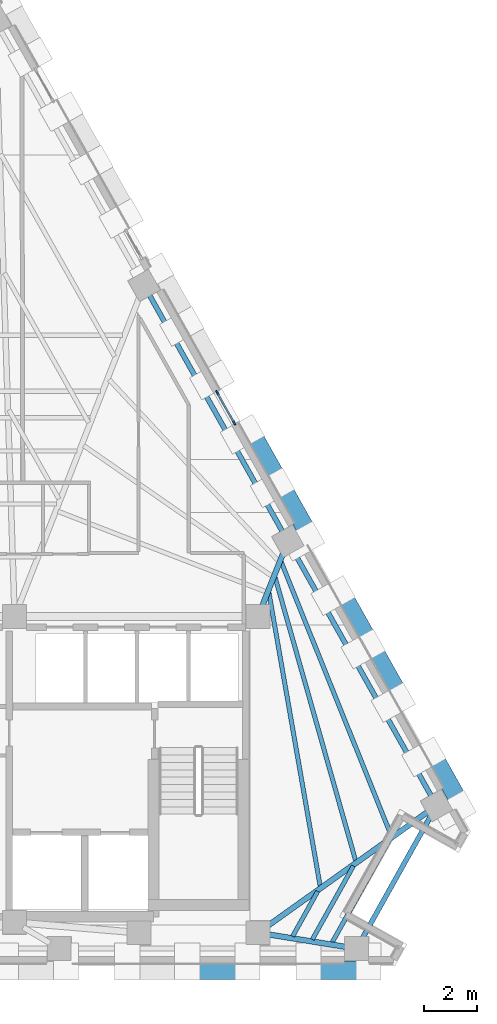
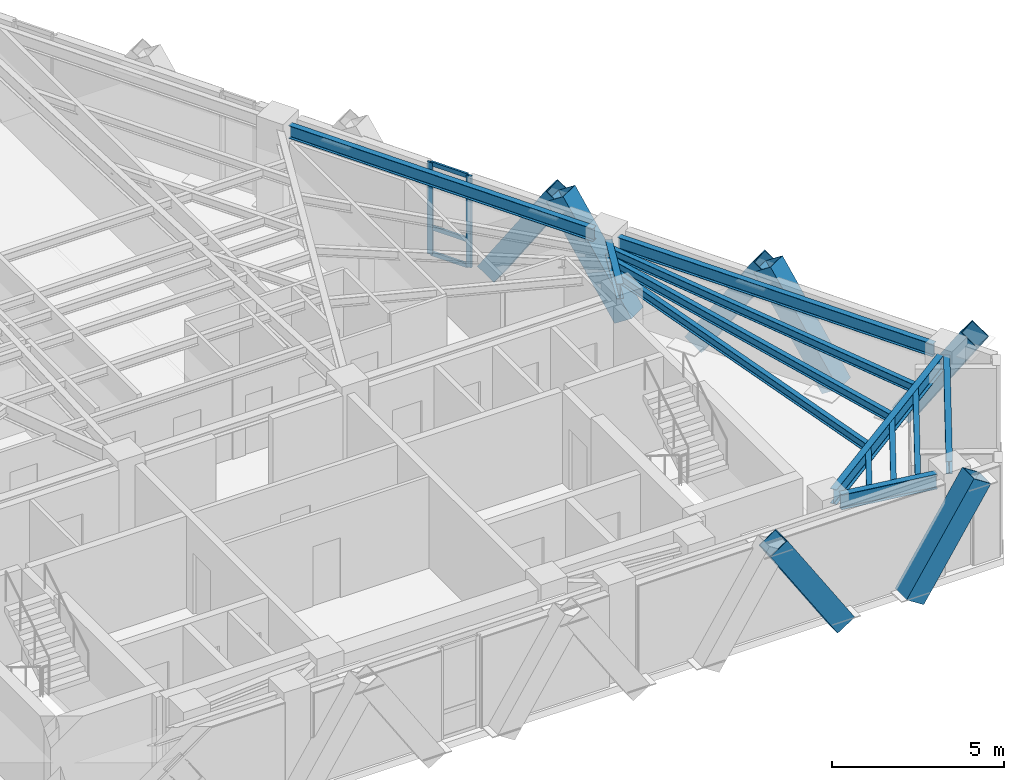
# One storey, part 4 of 12: 12 beams, 12 members, 1 element without a shape of its own.
"""IFC4 building model written with IfcOpenShell, lengths in metres."""

from ifc_helpers import new_model, si_unit, direction, frame, origin, origin_2d, place, context, subcontext, project, spatial, rectangle, hollow_rectangle, i_section, extrude, material, material_profile, profile_set, type_object, element, aggregate, save


model = new_model("IFC4")

# Units and contexts
model_context = context("Model", 3, precision=1e-05, world=origin(), true_north=direction((0.0, 1.0)))
body_context = subcontext(model_context, "Body", "Model", "MODEL_VIEW")
ifc_project = project(units=[si_unit("LENGTHUNIT", "METRE"), si_unit("AREAUNIT", "SQUARE_METRE"), si_unit("VOLUMEUNIT", "CUBIC_METRE"), si_unit("PLANEANGLEUNIT", "RADIAN"), si_unit("MASSUNIT", "GRAM", prefix="KILO")], contexts=[model_context])

# Site, building, storey
site_placement = place(None, origin())
site = spatial("IfcSite", under=ifc_project, at=site_placement, CompositionType="ELEMENT")
building_placement = place(site_placement, origin())
building = spatial("IfcBuilding", under=site, at=building_placement, Name="Quenlor Broadcast Tower", CompositionType="ELEMENT")
storey_placement = place(building_placement, frame((0.0, 0.0, 218.39990234375)))
storey = spatial("IfcBuildingStorey", under=building, at=storey_placement, Name="L60", CompositionType="ELEMENT", Elevation=218.39990234375)

# Curtain wall, members
ifc_material_1 = material(Name="Architectural Terracotta and Low-E Glazing", Category="masonry")
curtain_wall_type = type_object("IfcCurtainWallType", Name="Unitised Terracotta Curtain Wall System Z4", PredefinedType="NOTDEFINED", material=ifc_material_1)
curtain_wall_placement = place(storey_placement, origin())
curtain_wall = element("IfcCurtainWall", 1, at=curtain_wall_placement, inside=storey, type_object=curtain_wall_type, Name="L60 Curtain Wall CW4 (L60-NE-G1)", PredefinedType="NOTDEFINED")
ifc_material_2 = material(Name="Aluminium 6063-T6", Category="aluminium")
ifc_material_profile_1 = material_profile(ifc_material_2, rectangle(XDim=0.068115234375, YDim=0.179931640625, at=origin_2d()))
ifc_profile_set_1 = profile_set([ifc_material_profile_1], Name="Aluminium 6063-T6 MULL68x180")
member_type_1 = type_object("IfcMemberType", Name="CW4 Aluminium Mullion MULL_CW4", PredefinedType="MULLION", material=ifc_profile_set_1)
member_1_placement = place(storey_placement, frame((11.408203125, 3.65966796875, 0.0), z_axis=(0.0, 0.0, 1.0), x_axis=(0.871560008943, 0.490288844266, 0.0)))
member_1 = element("IfcMember", 2, at=member_1_placement, type_object=member_type_1, Name="CW4 mullion 1", PredefinedType="MULLION", context=body_context, shape_type="SweptSolid", body=[
    extrude(rectangle(XDim=0.068115234375, YDim=0.179931640625, at=origin_2d()), origin(), (0.0, 0.0, 1.0), 3.25),
])
member_2_placement = place(storey_placement, frame((12.049560546875, 2.519775390625, 0.0), z_axis=(0.0, 0.0, 1.0), x_axis=(0.871560008943, 0.490288844266, 0.0)))
member_2 = element("IfcMember", 3, at=member_2_placement, type_object=member_type_1, Name="CW4 mullion 2", PredefinedType="MULLION", context=body_context, shape_type="SweptSolid", body=[
    extrude(rectangle(XDim=0.068115234375, YDim=0.179931640625, at=origin_2d()), origin(), (0.0, 0.0, 1.0), 3.25),
])
ifc_material_3 = material(Name="Aluminium 6063-T6", Category="aluminium")
ifc_material_profile_2 = material_profile(ifc_material_3, rectangle(XDim=0.068115234375, YDim=0.14990234375, at=origin_2d()))
ifc_profile_set_2 = profile_set([ifc_material_profile_2], Name="Aluminium 6063-T6 TRAN68x150")
member_type_2 = type_object("IfcMemberType", Name="CW4 Aluminium Transom TRAN_CW4", PredefinedType="USERDEFINED", material=ifc_profile_set_2)
member_3_placement = place(storey_placement, frame((11.425048828125, 3.630126953125, 0.0341796875), z_axis=(0.490233197009, -0.871591310506, 0.0), x_axis=(0.871591310506, 0.490233197009, 0.0)))
member_3 = element("IfcMember", 4, at=member_3_placement, type_object=member_type_2, Name="CW4 transom 1.1", ObjectType="TRANSOM", PredefinedType="USERDEFINED", context=body_context, shape_type="SweptSolid", body=[
    extrude(rectangle(XDim=0.068115234375, YDim=0.14990234375, at=origin_2d()), origin(), (0.0, 0.0, 1.0), 1.239990234375),
])
member_4_placement = place(storey_placement, frame((11.425048828125, 3.630126953125, 0.9501953125), z_axis=(0.490233197009, -0.871591310506, 0.0), x_axis=(0.871591310506, 0.490233197009, 0.0)))
member_4 = element("IfcMember", 5, at=member_4_placement, type_object=member_type_2, Name="CW4 transom 1.2", ObjectType="TRANSOM", PredefinedType="USERDEFINED", context=body_context, shape_type="SweptSolid", body=[
    extrude(rectangle(XDim=0.068115234375, YDim=0.14990234375, at=origin_2d()), origin(), (0.0, 0.0, 1.0), 1.239990234375),
])
member_5_placement = place(storey_placement, frame((11.425048828125, 3.630126953125, 3.216064453125), z_axis=(0.490233197009, -0.871591310506, 0.0), x_axis=(0.871591310506, 0.490233197009, 0.0)))
member_5 = element("IfcMember", 6, at=member_5_placement, type_object=member_type_2, Name="CW4 transom 1.3", ObjectType="TRANSOM", PredefinedType="USERDEFINED", context=body_context, shape_type="SweptSolid", body=[
    extrude(rectangle(XDim=0.068115234375, YDim=0.14990234375, at=origin_2d()), origin(), (0.0, 0.0, 1.0), 1.239990234375),
])
aggregate(curtain_wall, [member_1, member_2, member_3, member_4, member_5])

# Members
ifc_material_4 = material(Name="Steel S355", Category="steel")
ifc_material_profile_3 = material_profile(ifc_material_4, hollow_rectangle(XDim=0.679931640625, YDim=0.679931640625, WallThickness=0.02490234375, at=origin_2d()))
ifc_profile_set_3 = profile_set([ifc_material_profile_3], Name="Steel S355 RHS680x680x25")
member_type_3 = type_object("IfcMemberType", Name="Perimeter Diagonal Lattice Brace Z3-Z4 Steel S355 RHS680x25", PredefinedType="BRACE", material=ifc_profile_set_3)
for number, where, z_axis, x_axis, name in (
    (7, (12.54541015625, -18.169921875, -0.119873046875), (-0.541794306908, 0.0, 0.840511111766), (0.0, -1.0, 0.0), "L60 Perimeter Diamond Lattice S-C1S"),
    (8, (14.856201171875, -18.169921875, -0.119873046875), (0.541794306908, 0.0, 0.840511111766), (0.0, 1.0, 0.0), "L60 Perimeter Diamond Lattice S-C1B"),
):
    element("IfcMember", number, at=place(storey_placement, frame(where, z_axis=z_axis, x_axis=x_axis)), inside=storey, type_object=member_type_3, Name=name, PredefinedType="BRACE", context=body_context, shape_type="SweptSolid", body=[
        extrude(hollow_rectangle(XDim=0.679931640625, YDim=0.679931640625, WallThickness=0.02490234375, at=origin_2d()), origin(), (0.0, 0.0, 1.0), 4.1640625),
    ])
for number, where, z_axis, x_axis, name in (
    (9, (12.651611328125, 2.255126953125, -0.119873046875), (0.269547055694, -0.479136497832, 0.835327840559), (0.871550060774, 0.49030652817, 0.0), "L60 Perimeter Diamond Lattice NE-C3S"),
    (10, (16.08056640625, -3.841064453125, -0.119873046875), (0.269547055694, -0.479136497832, 0.835327840559), (0.871550060774, 0.49030652817, 0.0), "L60 Perimeter Diamond Lattice NE-C4S"),
    (11, (14.923828125, -1.78466796875, -0.119873046875), (-0.269485495908, 0.479188912076, 0.835317636614), (-0.871620820774, -0.490180726664, 0.0), "L60 Perimeter Diamond Lattice NE-C4B"),
    (12, (19.509765625, -9.937255859375, -0.119873046875), (0.269547055694, -0.479136497832, 0.835327840559), (0.871550060774, 0.49030652817, 0.0), "L60 Perimeter Diamond Lattice NE-C5S"),
):
    element("IfcMember", number, at=place(storey_placement, frame(where, z_axis=z_axis, x_axis=x_axis)), inside=storey, type_object=member_type_3, Name=name, PredefinedType="BRACE", context=body_context, shape_type="SweptSolid", body=[
        extrude(hollow_rectangle(XDim=0.679931640625, YDim=0.679931640625, WallThickness=0.02490234375, at=origin_2d()), origin(), (0.0, 0.0, 1.0), 4.18994140625),
    ])
member_6_placement = place(storey_placement, frame((18.35302734375, -7.880859375, -0.119873046875), z_axis=(-0.269539530269, 0.479181387144, 0.835304519224), x_axis=(-0.871575537125, -0.490261239633, 0.0)))
element("IfcMember", 13, at=member_6_placement, inside=storey, type_object=member_type_3, Name="L60 Perimeter Diamond Lattice NE-C5B", PredefinedType="BRACE", context=body_context, shape_type="SweptSolid", body=[
    extrude(hollow_rectangle(XDim=0.679931640625, YDim=0.679931640625, WallThickness=0.02490234375, at=origin_2d()), origin(), (0.0, 0.0, 1.0), 4.190185546875),
])

# Beams
ifc_material_5 = material(Name="Steel S355", Category="steel")
ifc_material_profile_4 = material_profile(ifc_material_5, i_section(OverallWidth=0.18994140625, OverallDepth=0.453857421875, WebThickness=0.008544921875, FlangeThickness=0.0126953125, FilletRadius=0.011474609375, at=origin_2d()))
ifc_profile_set_4 = profile_set([ifc_material_profile_4], Name="Steel S355 460UB67.1")
beam_type_1 = type_object("IfcBeamType", Name="Perimeter Spandrel Beam Z4 Steel S355 460UB67.1", PredefinedType="SPANDREL", material=ifc_profile_set_4)
beam_1_placement = place(storey_placement, frame((16.875732421875, -16.991943359375, 3.023193359375), z_axis=(0.487647250206, 0.8730407547, 0.0), x_axis=(-0.8730407547, 0.487647250206, 0.0)))
element("IfcBeam", 14, at=beam_1_placement, inside=storey, type_object=beam_type_1, Name="L60 Spandrel Beam S4-NE1", PredefinedType="SPANDREL", context=body_context, shape_type="SweptSolid", body=[
    extrude(i_section(OverallWidth=0.18994140625, OverallDepth=0.453857421875, WebThickness=0.008544921875, FlangeThickness=0.0126953125, FilletRadius=0.011474609375, at=origin_2d()), origin(), (0.0, 0.0, 1.0), 5.37451171875),
])
beam_2_placement = place(storey_placement, frame((19.49560546875, -11.58447265625, 3.023193359375), z_axis=(-0.490272131974, 0.871569410093, 0.0), x_axis=(-0.871569410093, -0.490272131974, 0.0)))
element("IfcBeam", 15, at=beam_2_placement, inside=storey, type_object=beam_type_1, Name="L60 Spandrel Beam NE1-NE2", PredefinedType="SPANDREL", context=body_context, shape_type="SweptSolid", body=[
    extrude(i_section(OverallWidth=0.18994140625, OverallDepth=0.453857421875, WebThickness=0.008544921875, FlangeThickness=0.0126953125, FilletRadius=0.011474609375, at=origin_2d()), origin(), (0.0, 0.0, 1.0), 10.6416015625),
])
beam_3_placement = place(storey_placement, frame((13.87646484375, -1.594970703125, 3.023193359375), z_axis=(-0.490263496537, 0.871574267612, 0.0), x_axis=(-0.871574267612, -0.490263496537, 0.0)))
element("IfcBeam", 16, at=beam_3_placement, inside=storey, type_object=beam_type_1, Name="L60 Spandrel Beam NE2-NE3", PredefinedType="SPANDREL", context=body_context, shape_type="SweptSolid", body=[
    extrude(i_section(OverallWidth=0.18994140625, OverallDepth=0.453857421875, WebThickness=0.008544921875, FlangeThickness=0.0126953125, FilletRadius=0.011474609375, at=origin_2d()), origin(), (0.0, 0.0, 1.0), 10.271728515625),
])
ifc_material_6 = material(Name="Steel S355", Category="steel")
ifc_material_profile_5 = material_profile(ifc_material_6, i_section(OverallWidth=0.166015625, OverallDepth=0.30712890625, WebThickness=0.006591796875, FlangeThickness=0.01171875, FilletRadius=0.011474609375, at=origin_2d()))
ifc_profile_set_5 = profile_set([ifc_material_profile_5], Name="Steel S355 310UB46.2")
beam_type_2 = type_object("IfcBeamType", Name="Tower Composite Joist Z4-Z5 Steel S355 310UB46.2", PredefinedType="JOIST", material=ifc_profile_set_5)
beam_4_placement = place(storey_placement, frame((15.297607421875, -14.98828125, 3.096435546875), z_axis=(-0.172003691938, 0.985096304916, 0.0), x_axis=(-0.985096304916, -0.172003691938, 0.0)))
element("IfcBeam", 17, at=beam_4_placement, inside=storey, type_object=beam_type_2, Name="L60 Secondary Composite Joist 16", PredefinedType="JOIST", context=body_context, shape_type="SweptSolid", body=[
    extrude(i_section(OverallWidth=0.166015625, OverallDepth=0.30712890625, WebThickness=0.006591796875, FlangeThickness=0.01171875, FilletRadius=0.011474609375, at=origin_2d()), origin(), (0.0, 0.0, 1.0), 11.274169921875),
])
beam_5_placement = place(storey_placement, frame((16.638671875, -14.028564453125, 3.096435546875), z_axis=(-0.273447576454, 0.961886907558, 0.0), x_axis=(-0.961886907558, -0.273447576454, 0.0)))
element("IfcBeam", 18, at=beam_5_placement, inside=storey, type_object=beam_type_2, Name="L60 Secondary Composite Joist 17", PredefinedType="JOIST", context=body_context, shape_type="SweptSolid", body=[
    extrude(i_section(OverallWidth=0.166015625, OverallDepth=0.30712890625, WebThickness=0.006591796875, FlangeThickness=0.01171875, FilletRadius=0.011474609375, at=origin_2d()), origin(), (0.0, 0.0, 1.0), 11.142333984375),
])
beam_6_placement = place(storey_placement, frame((17.97998046875, -13.069580078125, 3.096435546875), z_axis=(-0.373094895103, 0.927793187757, 0.0), x_axis=(-0.927793187757, -0.373094895103, 0.0)))
element("IfcBeam", 19, at=beam_6_placement, inside=storey, type_object=beam_type_2, Name="L60 Secondary Composite Joist 18", PredefinedType="JOIST", context=body_context, shape_type="SweptSolid", body=[
    extrude(i_section(OverallWidth=0.166015625, OverallDepth=0.30712890625, WebThickness=0.006591796875, FlangeThickness=0.01171875, FilletRadius=0.011474609375, at=origin_2d()), origin(), (0.0, 0.0, 1.0), 11.13525390625),
])
beam_7_placement = place(storey_placement, frame((14.255859375, -16.88427734375, 3.096435546875), z_axis=(0.487590799665, 0.873072283423, 0.0), x_axis=(-0.873072283423, 0.487590799665, 0.0)))
element("IfcBeam", 20, at=beam_7_placement, inside=storey, type_object=beam_type_2, Name="L60 Secondary Composite Joist 22", PredefinedType="JOIST", context=body_context, shape_type="SweptSolid", body=[
    extrude(i_section(OverallWidth=0.166015625, OverallDepth=0.30712890625, WebThickness=0.006591796875, FlangeThickness=0.01171875, FilletRadius=0.011474609375, at=origin_2d()), origin(), (0.0, 0.0, 1.0), 1.9462890625),
])
beam_8_placement = place(storey_placement, frame((15.0009765625, -17.004150390625, 3.096435546875), z_axis=(0.487646119388, 0.87304138633, 0.0), x_axis=(-0.87304138633, 0.487646119388, 0.0)))
element("IfcBeam", 21, at=beam_8_placement, inside=storey, type_object=beam_type_2, Name="L60 Secondary Composite Joist 23", PredefinedType="JOIST", context=body_context, shape_type="SweptSolid", body=[
    extrude(i_section(OverallWidth=0.166015625, OverallDepth=0.30712890625, WebThickness=0.006591796875, FlangeThickness=0.01171875, FilletRadius=0.011474609375, at=origin_2d()), origin(), (0.0, 0.0, 1.0), 3.18505859375),
])
beam_9_placement = place(storey_placement, frame((15.74609375, -17.124267578125, 3.096435546875), z_axis=(0.487604899573, 0.873064408799, 0.0), x_axis=(-0.873064408799, 0.487604899573, 0.0)))
element("IfcBeam", 22, at=beam_9_placement, inside=storey, type_object=beam_type_2, Name="L60 Secondary Composite Joist 24", PredefinedType="JOIST", context=body_context, shape_type="SweptSolid", body=[
    extrude(i_section(OverallWidth=0.166015625, OverallDepth=0.30712890625, WebThickness=0.006591796875, FlangeThickness=0.01171875, FilletRadius=0.011474609375, at=origin_2d()), origin(), (0.0, 0.0, 1.0), 4.424072265625),
])
ifc_material_7 = material(Name="Steel S355", Category="steel")
ifc_material_profile_6 = material_profile(ifc_material_7, i_section(OverallWidth=0.208984375, OverallDepth=0.5283203125, WebThickness=0.009521484375, FlangeThickness=0.01318359375, FilletRadius=0.013916015625, at=origin_2d()))
ifc_profile_set_6 = profile_set([ifc_material_profile_6], Name="Steel S355 530UB82.0")
beam_type_3 = type_object("IfcBeamType", Name="Tower Primary Floor Beam Z4 Steel S355 530UB82.0", PredefinedType="BEAM", material=ifc_profile_set_6)
beam_10_placement = place(storey_placement, frame((16.27099609375, -17.284912109375, 2.986083984375), z_axis=(-0.987268490875, 0.159062650942, 0.0), x_axis=(-0.159062650942, -0.987268490875, 0.0)))
element("IfcBeam", 23, at=beam_10_placement, inside=storey, type_object=beam_type_3, Name="L60 Primary Radial Beam S4", PredefinedType="BEAM", context=body_context, shape_type="SweptSolid", body=[
    extrude(i_section(OverallWidth=0.208984375, OverallDepth=0.5283203125, WebThickness=0.009521484375, FlangeThickness=0.01318359375, FilletRadius=0.013916015625, at=origin_2d()), origin(), (0.0, 0.0, 1.0), 2.98388671875),
])
beam_11_placement = place(storey_placement, frame((19.362548828125, -12.1796875, 2.986083984375), z_axis=(-0.814329531787, -0.580402802938, 0.0), x_axis=(0.580402802938, -0.814329531787, 0.0)))
element("IfcBeam", 24, at=beam_11_placement, inside=storey, type_object=beam_type_3, Name="L60 Primary Radial Beam NE1", PredefinedType="BEAM", context=body_context, shape_type="SweptSolid", body=[
    extrude(i_section(OverallWidth=0.208984375, OverallDepth=0.5283203125, WebThickness=0.009521484375, FlangeThickness=0.01318359375, FilletRadius=0.013916015625, at=origin_2d()), origin(), (0.0, 0.0, 1.0), 7.49462890625),
])
beam_12_placement = place(storey_placement, frame((13.926513671875, -2.33349609375, 2.986083984375), z_axis=(-0.368110359783, -0.92978210513, 0.0), x_axis=(0.92978210513, -0.368110359783, 0.0)))
element("IfcBeam", 25, at=beam_12_placement, inside=storey, type_object=beam_type_3, Name="L60 Primary Radial Beam NE2", PredefinedType="BEAM", context=body_context, shape_type="SweptSolid", body=[
    extrude(i_section(OverallWidth=0.208984375, OverallDepth=0.5283203125, WebThickness=0.009521484375, FlangeThickness=0.01318359375, FilletRadius=0.013916015625, at=origin_2d()), origin(), (0.0, 0.0, 1.0), 2.27294921875),
])

save(model, "model.ifc")
